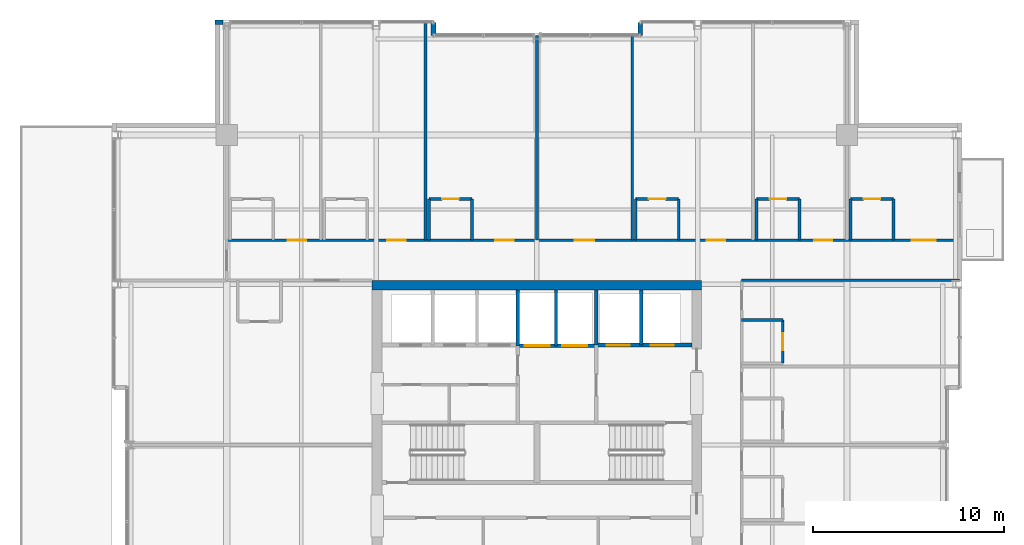
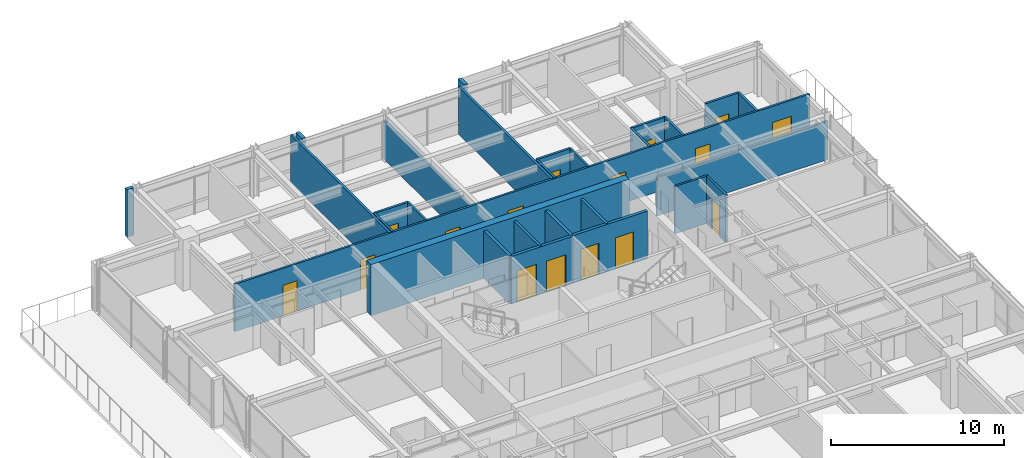
# One storey, part 28 of 32: 29 walls, 16 doors, 16 openings.
"""IFC4 building model written with IfcOpenShell, lengths in metres."""

from ifc_helpers import new_model, si_unit, direction, frame, frame_2d, origin, place, context, subcontext, project, spatial, rectangle, extrude, material, layer, layer_set, type_object, element, fill, save


model = new_model("IFC4")

# Units and contexts
model_context = context("Model", 3, precision=1e-05, world=origin(), true_north=direction((0.0, 1.0)))
body_context = subcontext(model_context, "Body", "Model", "MODEL_VIEW")
ifc_project = project(units=[si_unit("LENGTHUNIT", "METRE"), si_unit("AREAUNIT", "SQUARE_METRE"), si_unit("VOLUMEUNIT", "CUBIC_METRE"), si_unit("PLANEANGLEUNIT", "RADIAN"), si_unit("MASSUNIT", "GRAM", prefix="KILO")], contexts=[model_context])

# Site, building, storey
site_placement = place(None, origin())
site = spatial("IfcSite", under=ifc_project, at=site_placement, CompositionType="ELEMENT")
building_placement = place(site_placement, origin())
building = spatial("IfcBuilding", under=site, at=building_placement, Name="Drelvath Grand Hotel", CompositionType="ELEMENT")
storey_placement = place(building_placement, frame((0.0, 0.0, 205.10009765625)))
storey = spatial("IfcBuildingStorey", under=building, at=storey_placement, Name="L53", CompositionType="ELEMENT", Elevation=205.10009765625)

# Wall, openings, doors
ifc_material_1 = material(Name="Concrete C40/50", Category="concrete")
ifc_layer_1 = layer(ifc_material_1, 0.199951171875)
ifc_layer_set_1 = layer_set([ifc_layer_1], Name="Concrete C40/50")
wall_type_1 = type_object("IfcWallType", Name="Core Hoistway Fire Wall 200", PredefinedType="SOLIDWALL", material=ifc_layer_set_1)
wall_1_placement = place(storey_placement, frame((3.10009765625, 32.219970703125, 0.0), z_axis=(0.0, 0.0, 1.0), x_axis=(1.0, 0.0, 0.0)))
wall_1 = element("IfcWall", 1, at=wall_1_placement, inside=storey, type_object=wall_type_1, Name="L53 FSAE Hoistway Front Wall", PredefinedType="SOLIDWALL", context=body_context, shape_type="SweptSolid", body=[
    extrude(rectangle(XDim=5.0, YDim=0.199951171875, at=frame_2d((2.5, 0.0))), origin(), (0.0, 0.0, 1.0), 3.33984375),
])
opening_1_placement = place(wall_1_placement, frame((0.550048828125, 0.0, 0.0)))
opening_1 = element("IfcOpeningElement", 2, at=opening_1_placement, cuts=wall_1, Name="Opening LD-FSAE-1", PredefinedType="OPENING", context=body_context, shape_type="SweptSolid", body=[
    extrude(rectangle(XDim=1.199951171875, YDim=2.199951171875, at=frame_2d((0.60009765625, 1.10009765625))), frame((0.0, 0.10986328125, 0.0), z_axis=(0.0, -1.0, 0.0), x_axis=(1.0, 0.0, 0.0)), (0.0, 0.0, 1.0), 0.219970703125),
])
opening_2_placement = place(wall_1_placement, frame((2.85009765625, 0.0, 0.0)))
opening_2 = element("IfcOpeningElement", 3, at=opening_2_placement, cuts=wall_1, Name="Opening LD-FSAE-2", PredefinedType="OPENING", context=body_context, shape_type="SweptSolid", body=[
    extrude(rectangle(XDim=1.199951171875, YDim=2.199951171875, at=frame_2d((0.60009765625, 1.10009765625))), frame((0.0, 0.10986328125, 0.0), z_axis=(0.0, -1.0, 0.0), x_axis=(1.0, 0.0, 0.0)), (0.0, 0.0, 1.0), 0.219970703125),
])
ifc_material_2 = material(Name="Stainless Steel S355", Category="steel")
door_type_1 = type_object("IfcDoorType", Name="FSAE Lift Sliding Landing Door 1200x2200", OperationType="NOTDEFINED", PredefinedType="DOOR", material=ifc_material_2)
door_1_placement = place(opening_1_placement, origin())
door_1 = element("IfcDoor", 4, at=door_1_placement, inside=storey, type_object=door_type_1, Name="L53 Lift FSAE-1 Landing Door", OperationType="SLIDING_TO_LEFT", OverallHeight=2.199951171875, OverallWidth=1.199951171875, PredefinedType="DOOR", context=body_context, shape_type="SweptSolid", body=[
    extrude(rectangle(XDim=1.199951171875, YDim=2.199951171875, at=frame_2d((0.60009765625, 1.10009765625))), frame((0.0, 0.02490234375, 0.0), z_axis=(0.0, -1.0, 0.0), x_axis=(1.0, 0.0, 0.0)), (0.0, 0.0, 1.0), 0.050048828125),
])
fill(opening_1, door_1)
door_2_placement = place(opening_2_placement, origin())
door_2 = element("IfcDoor", 5, at=door_2_placement, inside=storey, type_object=door_type_1, Name="L53 Lift FSAE-2 Landing Door", OperationType="SLIDING_TO_LEFT", OverallHeight=2.199951171875, OverallWidth=1.199951171875, PredefinedType="DOOR", context=body_context, shape_type="SweptSolid", body=[
    extrude(rectangle(XDim=1.199951171875, YDim=2.199951171875, at=frame_2d((0.60009765625, 1.10009765625))), frame((0.0, 0.02490234375, 0.0), z_axis=(0.0, -1.0, 0.0), x_axis=(1.0, 0.0, 0.0)), (0.0, 0.0, 1.0), 0.050048828125),
])
fill(opening_2, door_2)

# Wall
wall_2_placement = place(storey_placement, frame((3.10009765625, 32.219970703125, 0.0), z_axis=(0.0, 0.0, 1.0), x_axis=(0.0, 1.0, 0.0)))
element("IfcWall", 6, at=wall_2_placement, inside=storey, type_object=wall_type_1, Name="L53 FSAE Hoistway West Wall", PredefinedType="SOLIDWALL", context=body_context, shape_type="SweptSolid", body=[
    extrude(rectangle(XDim=2.880126953125, YDim=0.199951171875, at=frame_2d((1.43994140625, 0.0))), origin(), (0.0, 0.0, 1.0), 3.33984375),
])

# Wall, openings, doors
wall_3_placement = place(storey_placement, frame((-1.0, 32.179931640625, 0.0), z_axis=(0.0, 0.0, 1.0), x_axis=(1.0, 0.0, 0.0)))
wall_3 = element("IfcWall", 7, at=wall_3_placement, inside=storey, type_object=wall_type_1, Name="L53 Service Lift Hoistway Wall", PredefinedType="SOLIDWALL", context=body_context, shape_type="SweptSolid", body=[
    extrude(rectangle(XDim=4.10009765625, YDim=0.199951171875, at=frame_2d((2.050048828125, 0.0))), origin(), (0.0, 0.0, 1.0), 3.33984375),
])
opening_3_placement = place(wall_3_placement, frame((0.3701171875, 0.0, 0.0)))
opening_3 = element("IfcOpeningElement", 8, at=opening_3_placement, cuts=wall_3, Name="Opening LD-SV-2", PredefinedType="OPENING", context=body_context, shape_type="SweptSolid", body=[
    extrude(rectangle(XDim=1.300048828125, YDim=2.199951171875, at=frame_2d((0.64990234375, 1.10009765625))), frame((0.0, 0.10986328125, 0.0), z_axis=(0.0, -1.0, 0.0), x_axis=(1.0, 0.0, 0.0)), (0.0, 0.0, 1.0), 0.219970703125),
])
opening_4_placement = place(wall_3_placement, frame((2.330078125, 0.0, 0.0)))
opening_4 = element("IfcOpeningElement", 9, at=opening_4_placement, cuts=wall_3, Name="Opening LD-SV-1", PredefinedType="OPENING", context=body_context, shape_type="SweptSolid", body=[
    extrude(rectangle(XDim=1.300048828125, YDim=2.199951171875, at=frame_2d((0.64990234375, 1.10009765625))), frame((0.0, 0.10986328125, 0.0), z_axis=(0.0, -1.0, 0.0), x_axis=(1.0, 0.0, 0.0)), (0.0, 0.0, 1.0), 0.219970703125),
])
door_type_2 = type_object("IfcDoorType", Name="Service Lift Sliding Landing Door 1300x2200", OperationType="NOTDEFINED", PredefinedType="DOOR", material=ifc_material_2)
door_3_placement = place(opening_3_placement, origin())
door_3 = element("IfcDoor", 10, at=door_3_placement, inside=storey, type_object=door_type_2, Name="L53 Lift SV-2 Landing Door", OperationType="SLIDING_TO_LEFT", OverallHeight=2.199951171875, OverallWidth=1.300048828125, PredefinedType="DOOR", context=body_context, shape_type="SweptSolid", body=[
    extrude(rectangle(XDim=1.300048828125, YDim=2.199951171875, at=frame_2d((0.64990234375, 1.10009765625))), frame((0.0, 0.02490234375, 0.0), z_axis=(0.0, -1.0, 0.0), x_axis=(1.0, 0.0, 0.0)), (0.0, 0.0, 1.0), 0.050048828125),
])
fill(opening_3, door_3)
door_4_placement = place(opening_4_placement, origin())
door_4 = element("IfcDoor", 11, at=door_4_placement, inside=storey, type_object=door_type_2, Name="L53 Lift SV-1 Landing Door", OperationType="SLIDING_TO_LEFT", OverallHeight=2.199951171875, OverallWidth=1.300048828125, PredefinedType="DOOR", context=body_context, shape_type="SweptSolid", body=[
    extrude(rectangle(XDim=1.300048828125, YDim=2.199951171875, at=frame_2d((0.64990234375, 1.10009765625))), frame((0.0, 0.02490234375, 0.0), z_axis=(0.0, -1.0, 0.0), x_axis=(1.0, 0.0, 0.0)), (0.0, 0.0, 1.0), 0.050048828125),
])
fill(opening_4, door_4)

# Walls
wall_4_placement = place(storey_placement, frame((-1.0, 32.179931640625, 0.0), z_axis=(0.0, 0.0, 1.0), x_axis=(0.0, 1.0, 0.0)))
element("IfcWall", 12, at=wall_4_placement, inside=storey, type_object=wall_type_1, Name="L53 Service Lift West Wall", PredefinedType="SOLIDWALL", context=body_context, shape_type="SweptSolid", body=[
    extrude(rectangle(XDim=2.920166015625, YDim=0.199951171875, at=frame_2d((1.4599609375, 0.0))), origin(), (0.0, 0.0, 1.0), 3.33984375),
])
ifc_material_3 = material(Name="Gypsum Fireboard Partition")
ifc_layer_2 = layer(ifc_material_3, 0.1650390625)
ifc_layer_set_2 = layer_set([ifc_layer_2], Name="Gypsum Fireboard Partition")
wall_type_2 = type_object("IfcWallType", Name="Core Shaft Partition 165", PredefinedType="PARTITIONING", material=ifc_layer_set_2)
wall_5_placement = place(storey_placement, frame((5.449951171875, 32.219970703125, 0.0), z_axis=(0.0, 0.0, 1.0), x_axis=(0.0, 1.0, 0.0)))
element("IfcWall", 13, at=wall_5_placement, inside=storey, type_object=wall_type_2, Name="L53 FSAE Hoistway Divider", PredefinedType="PARTITIONING", context=body_context, shape_type="SweptSolid", body=[
    extrude(rectangle(XDim=2.880126953125, YDim=0.1650390625, at=frame_2d((1.43994140625, 0.0))), origin(), (0.0, 0.0, 1.0), 3.33984375),
])
wall_6_placement = place(storey_placement, frame((1.0, 32.179931640625, 0.0), z_axis=(0.0, 0.0, 1.0), x_axis=(0.0, 1.0, 0.0)))
element("IfcWall", 14, at=wall_6_placement, inside=storey, type_object=wall_type_2, Name="L53 Service Lift Divider", PredefinedType="PARTITIONING", context=body_context, shape_type="SweptSolid", body=[
    extrude(rectangle(XDim=2.920166015625, YDim=0.1650390625, at=frame_2d((1.4599609375, 0.0))), origin(), (0.0, 0.0, 1.0), 3.33984375),
])

# Wall, openings, doors
ifc_layer_3 = layer(ifc_material_3, 0.135009765625)
ifc_layer_set_3 = layer_set([ifc_layer_3], Name="Gypsum Fireboard Partition")
wall_type_3 = type_object("IfcWallType", Name="Corridor Fire Barrier Wall 135", PredefinedType="PARTITIONING", material=ifc_layer_set_3)
wall_7_placement = place(storey_placement, frame((-16.199951171875, 37.699951171875, 0.0), z_axis=(0.0, 0.0, 1.0), x_axis=(1.0, 0.0, 0.0)))
wall_7 = element("IfcWall", 15, at=wall_7_placement, inside=storey, type_object=wall_type_3, Name="L53 North Cross-Gallery Wall", PredefinedType="PARTITIONING", context=body_context, shape_type="SweptSolid", body=[
    extrude(rectangle(XDim=38.280029296875, YDim=0.135009765625, at=frame_2d((19.14013671875, 0.0))), origin(), (0.0, 0.0, 1.0), 3.33984375),
])
opening_5_placement = place(wall_7_placement, frame((35.784912109375, 0.0, 0.0)))
opening_5 = element("IfcOpeningElement", 16, at=opening_5_placement, cuts=wall_7, Name="Opening D-T4G1-024", PredefinedType="OPENING", context=body_context, shape_type="SweptSolid", body=[
    extrude(rectangle(XDim=1.260009765625, YDim=2.199951171875, at=frame_2d((0.6298828125, 1.10009765625))), frame((0.0, 0.077392578125, 0.0), z_axis=(0.0, -1.0, 0.0), x_axis=(1.0, 0.0, 0.0)), (0.0, 0.0, 1.0), 0.155029296875),
])
opening_6_placement = place(wall_7_placement, frame((3.189453125, 0.0, 0.0)))
opening_6 = element("IfcOpeningElement", 17, at=opening_6_placement, cuts=wall_7, Name="Opening D-T4G1-037", PredefinedType="OPENING", context=body_context, shape_type="SweptSolid", body=[
    extrude(rectangle(XDim=0.9599609375, YDim=2.14990234375, at=frame_2d((0.47998046875, 1.074951171875))), frame((0.0, 0.077392578125, 0.0), z_axis=(0.0, -1.0, 0.0), x_axis=(1.0, 0.0, 0.0)), (0.0, 0.0, 1.0), 0.155029296875),
])
opening_7_placement = place(wall_7_placement, frame((8.37939453125, 0.0, 0.0)))
opening_7 = element("IfcOpeningElement", 18, at=opening_7_placement, cuts=wall_7, Name="Opening D-T4G1-039", PredefinedType="OPENING", context=body_context, shape_type="SweptSolid", body=[
    extrude(rectangle(XDim=0.9599609375, YDim=2.14990234375, at=frame_2d((0.47998046875, 1.074951171875))), frame((0.0, 0.077392578125, 0.0), z_axis=(0.0, -1.0, 0.0), x_axis=(1.0, 0.0, 0.0)), (0.0, 0.0, 1.0), 0.155029296875),
])
opening_8_placement = place(wall_7_placement, frame((14.02490234375, 0.0, 0.0)))
opening_8 = element("IfcOpeningElement", 19, at=opening_8_placement, cuts=wall_7, Name="Opening D-T4G1-041", PredefinedType="OPENING", context=body_context, shape_type="SweptSolid", body=[
    extrude(rectangle(XDim=0.9599609375, YDim=2.14990234375, at=frame_2d((0.47998046875, 1.074951171875))), frame((0.0, 0.077392578125, 0.0), z_axis=(0.0, -1.0, 0.0), x_axis=(1.0, 0.0, 0.0)), (0.0, 0.0, 1.0), 0.155029296875),
])
opening_9_placement = place(wall_7_placement, frame((18.179931640625, 0.0, 0.0)))
opening_9 = element("IfcOpeningElement", 20, at=opening_9_placement, cuts=wall_7, Name="Opening D-T4G1-042", PredefinedType="OPENING", context=body_context, shape_type="SweptSolid", body=[
    extrude(rectangle(XDim=1.02001953125, YDim=2.14990234375, at=frame_2d((0.510009765625, 1.074951171875))), frame((0.0, 0.077392578125, 0.0), z_axis=(0.0, -1.0, 0.0), x_axis=(1.0, 0.0, 0.0)), (0.0, 0.0, 1.0), 0.155029296875),
])
opening_10_placement = place(wall_7_placement, frame((25.070556640625, 0.0, 0.0)))
opening_10 = element("IfcOpeningElement", 21, at=opening_10_placement, cuts=wall_7, Name="Opening D-T4G1-044", PredefinedType="OPENING", context=body_context, shape_type="SweptSolid", body=[
    extrude(rectangle(XDim=0.9599609375, YDim=2.14990234375, at=frame_2d((0.47998046875, 1.074951171875))), frame((0.0, 0.077392578125, 0.0), z_axis=(0.0, -1.0, 0.0), x_axis=(1.0, 0.0, 0.0)), (0.0, 0.0, 1.0), 0.155029296875),
])
opening_11_placement = place(wall_7_placement, frame((30.680419921875, 0.0, 0.0)))
opening_11 = element("IfcOpeningElement", 22, at=opening_11_placement, cuts=wall_7, Name="Opening D-T4G1-046", PredefinedType="OPENING", context=body_context, shape_type="SweptSolid", body=[
    extrude(rectangle(XDim=0.9599609375, YDim=2.14990234375, at=frame_2d((0.47998046875, 1.074951171875))), frame((0.0, 0.077392578125, 0.0), z_axis=(0.0, -1.0, 0.0), x_axis=(1.0, 0.0, 0.0)), (0.0, 0.0, 1.0), 0.155029296875),
])
ifc_material_4 = material(Name="Hardwood Walnut Timber", Category="wood")
door_type_3 = type_object("IfcDoorType", Name="Amenity Meeting Fire Door 1020x2150", OperationType="NOTDEFINED", PredefinedType="DOOR", material=ifc_material_4)
door_5_placement = place(opening_9_placement, origin())
door_5 = element("IfcDoor", 23, at=door_5_placement, inside=storey, type_object=door_type_3, Name="L53 Embassy Briefing Room Entry Door", OperationType="SINGLE_SWING_LEFT", OverallHeight=2.14990234375, OverallWidth=1.02001953125, PredefinedType="DOOR", context=body_context, shape_type="SweptSolid", body=[
    extrude(rectangle(XDim=1.02001953125, YDim=2.14990234375, at=frame_2d((0.510009765625, 1.074951171875))), frame((0.0, 0.02490234375, 0.0), z_axis=(0.0, -1.0, 0.0), x_axis=(1.0, 0.0, 0.0)), (0.0, 0.0, 1.0), 0.050048828125),
])
fill(opening_9, door_5)
door_type_4 = type_object("IfcDoorType", Name="Guestroom Entrance Fire Door 960x2150", OperationType="NOTDEFINED", PredefinedType="DOOR", material=ifc_material_4)
door_6_placement = place(opening_6_placement, origin())
door_6 = element("IfcDoor", 24, at=door_6_placement, inside=storey, type_object=door_type_4, Name="L53 Deluxe Guest Room Entry Door", OperationType="SINGLE_SWING_RIGHT", OverallHeight=2.14990234375, OverallWidth=0.9599609375, PredefinedType="DOOR", context=body_context, shape_type="SweptSolid", body=[
    extrude(rectangle(XDim=0.9599609375, YDim=2.14990234375, at=frame_2d((0.47998046875, 1.074951171875))), frame((0.0, 0.02490234375, 0.0), z_axis=(0.0, -1.0, 0.0), x_axis=(1.0, 0.0, 0.0)), (0.0, 0.0, 1.0), 0.050048828125),
])
fill(opening_6, door_6)
door_7_placement = place(opening_7_placement, origin())
door_7 = element("IfcDoor", 25, at=door_7_placement, inside=storey, type_object=door_type_4, Name="L53 Deluxe Guest Room Entry Door", OperationType="SINGLE_SWING_RIGHT", OverallHeight=2.14990234375, OverallWidth=0.9599609375, PredefinedType="DOOR", context=body_context, shape_type="SweptSolid", body=[
    extrude(rectangle(XDim=0.9599609375, YDim=2.14990234375, at=frame_2d((0.47998046875, 1.074951171875))), frame((0.0, 0.02490234375, 0.0), z_axis=(0.0, -1.0, 0.0), x_axis=(1.0, 0.0, 0.0)), (0.0, 0.0, 1.0), 0.050048828125),
])
fill(opening_7, door_7)
door_8_placement = place(opening_8_placement, origin())
door_8 = element("IfcDoor", 26, at=door_8_placement, inside=storey, type_object=door_type_4, Name="L53 Deluxe Guest Room Entry Door", OperationType="SINGLE_SWING_RIGHT", OverallHeight=2.14990234375, OverallWidth=0.9599609375, PredefinedType="DOOR", context=body_context, shape_type="SweptSolid", body=[
    extrude(rectangle(XDim=0.9599609375, YDim=2.14990234375, at=frame_2d((0.47998046875, 1.074951171875))), frame((0.0, 0.02490234375, 0.0), z_axis=(0.0, -1.0, 0.0), x_axis=(1.0, 0.0, 0.0)), (0.0, 0.0, 1.0), 0.050048828125),
])
fill(opening_8, door_8)
door_9_placement = place(opening_10_placement, origin())
door_9 = element("IfcDoor", 27, at=door_9_placement, inside=storey, type_object=door_type_4, Name="L53 Deluxe Guest Room Entry Door", OperationType="SINGLE_SWING_LEFT", OverallHeight=2.14990234375, OverallWidth=0.9599609375, PredefinedType="DOOR", context=body_context, shape_type="SweptSolid", body=[
    extrude(rectangle(XDim=0.9599609375, YDim=2.14990234375, at=frame_2d((0.47998046875, 1.074951171875))), frame((0.0, 0.02490234375, 0.0), z_axis=(0.0, -1.0, 0.0), x_axis=(1.0, 0.0, 0.0)), (0.0, 0.0, 1.0), 0.050048828125),
])
fill(opening_10, door_9)
door_10_placement = place(opening_11_placement, origin())
door_10 = element("IfcDoor", 28, at=door_10_placement, inside=storey, type_object=door_type_4, Name="L53 Deluxe Guest Room Entry Door", OperationType="SINGLE_SWING_LEFT", OverallHeight=2.14990234375, OverallWidth=0.9599609375, PredefinedType="DOOR", context=body_context, shape_type="SweptSolid", body=[
    extrude(rectangle(XDim=0.9599609375, YDim=2.14990234375, at=frame_2d((0.47998046875, 1.074951171875))), frame((0.0, 0.02490234375, 0.0), z_axis=(0.0, -1.0, 0.0), x_axis=(1.0, 0.0, 0.0)), (0.0, 0.0, 1.0), 0.050048828125),
])
fill(opening_11, door_10)
door_type_5 = type_object("IfcDoorType", Name="Suite Entrance Fire Door 1260x2200", OperationType="NOTDEFINED", PredefinedType="DOOR", material=ifc_material_4)
door_11_placement = place(opening_5_placement, origin())
door_11 = element("IfcDoor", 29, at=door_11_placement, inside=storey, type_object=door_type_5, Name="L53 Diplomatic Suite Entry Door", OperationType="SINGLE_SWING_LEFT", OverallHeight=2.199951171875, OverallWidth=1.260009765625, PredefinedType="DOOR", context=body_context, shape_type="SweptSolid", body=[
    extrude(rectangle(XDim=1.260009765625, YDim=2.199951171875, at=frame_2d((0.6298828125, 1.10009765625))), frame((0.0, 0.02490234375, 0.0), z_axis=(0.0, -1.0, 0.0), x_axis=(1.0, 0.0, 0.0)), (0.0, 0.0, 1.0), 0.050048828125),
])
fill(opening_5, door_11)

# Walls
wall_8_placement = place(storey_placement, frame((10.699951171875, 35.60009765625, 0.0), z_axis=(0.0, 0.0, 1.0), x_axis=(1.0, 0.0, 0.0)))
element("IfcWall", 30, at=wall_8_placement, inside=storey, type_object=wall_type_3, Name="L53 North Gallery Inner East Wall", PredefinedType="PARTITIONING", context=body_context, shape_type="SweptSolid", body=[
    extrude(rectangle(XDim=11.380126953125, YDim=0.135009765625, at=frame_2d((5.68994140625, 0.0))), origin(), (0.0, 0.0, 1.0), 2.71728515625),
])
ifc_material_5 = material(Name="Moisture-Resistant Gypsum Board")
ifc_layer_4 = layer(ifc_material_5, 0.139892578125)
ifc_layer_set_4 = layer_set([ifc_layer_4], Name="Moisture-Resistant Gypsum Board")
wall_type_4 = type_object("IfcWallType", Name="En-Suite Plumbing Wall 140", PredefinedType="PLUMBINGWALL", material=ifc_layer_set_4)
wall_9_placement = place(storey_placement, frame((16.3798828125, 37.699951171875, 0.0), z_axis=(0.0, 0.0, 1.0), x_axis=(0.0, 1.0, 0.0)))
element("IfcWall", 31, at=wall_9_placement, inside=storey, type_object=wall_type_4, Name="L53 En-Suite Left Wall", PredefinedType="PLUMBINGWALL", context=body_context, shape_type="SweptSolid", body=[
    extrude(rectangle(XDim=2.150146484375, YDim=0.139892578125, at=frame_2d((1.0751953125, 0.0))), origin(), (0.0, 0.0, 1.0), 2.713623046875),
])
wall_10_placement = place(storey_placement, frame((18.6298828125, 37.699951171875, 0.0), z_axis=(0.0, 0.0, 1.0), x_axis=(0.0, 1.0, 0.0)))
element("IfcWall", 32, at=wall_10_placement, inside=storey, type_object=wall_type_4, Name="L53 En-Suite Right Wall", PredefinedType="PLUMBINGWALL", context=body_context, shape_type="SweptSolid", body=[
    extrude(rectangle(XDim=2.150146484375, YDim=0.139892578125, at=frame_2d((1.0751953125, 0.0))), origin(), (0.0, 0.0, 1.0), 3.33984375),
])

# Wall, opening, door
wall_11_placement = place(storey_placement, frame((16.3798828125, 39.85009765625, 0.0), z_axis=(0.0, 0.0, 1.0), x_axis=(1.0, 0.0, 0.0)))
wall_11 = element("IfcWall", 33, at=wall_11_placement, inside=storey, type_object=wall_type_4, Name="L53 En-Suite Front Wall", PredefinedType="PLUMBINGWALL", context=body_context, shape_type="SweptSolid", body=[
    extrude(rectangle(XDim=2.25, YDim=0.139892578125, at=frame_2d((1.125, 0.0))), origin(), (0.0, 0.0, 1.0), 3.33984375),
])
opening_12_placement = place(wall_11_placement, frame((0.68505859375, 0.0, 0.0)))
opening_12 = element("IfcOpeningElement", 34, at=opening_12_placement, cuts=wall_11, Name="Opening D-T4G1-023", PredefinedType="OPENING", context=body_context, shape_type="SweptSolid", body=[
    extrude(rectangle(XDim=0.8798828125, YDim=2.10009765625, at=frame_2d((0.43994140625, 1.050048828125))), frame((0.0, 0.079833984375, 0.0), z_axis=(0.0, -1.0, 0.0), x_axis=(1.0, 0.0, 0.0)), (0.0, 0.0, 1.0), 0.159912109375),
])
door_type_6 = type_object("IfcDoorType", Name="En-Suite Bathroom Door 880x2100", OperationType="NOTDEFINED", PredefinedType="DOOR", material=ifc_material_4)
door_12_placement = place(opening_12_placement, origin())
door_12 = element("IfcDoor", 35, at=door_12_placement, inside=storey, type_object=door_type_6, Name="L53 En-Suite Bathroom Door", OperationType="SINGLE_SWING_RIGHT", OverallHeight=2.10009765625, OverallWidth=0.8798828125, PredefinedType="DOOR", context=body_context, shape_type="SweptSolid", body=[
    extrude(rectangle(XDim=0.8798828125, YDim=2.10009765625, at=frame_2d((0.43994140625, 1.050048828125))), frame((0.0, 0.02490234375, 0.0), z_axis=(0.0, -1.0, 0.0), x_axis=(1.0, 0.0, 0.0)), (0.0, 0.0, 1.0), 0.050048828125),
])
fill(opening_12, door_12)

# Walls
for number, where, z_axis, x_axis, name in (
    (36, (-5.639892578125, 37.699951171875, 0.0), (0.0, 0.0, 1.0), (0.0, 1.0, 0.0), "L53 En-Suite Left Wall"),
    (37, (-3.389892578125, 37.699951171875, 0.0), (0.0, 0.0, 1.0), (0.0, 1.0, 0.0), "L53 En-Suite Right Wall"),
):
    element("IfcWall", number, at=place(storey_placement, frame(where, z_axis=z_axis, x_axis=x_axis)), inside=storey, type_object=wall_type_4, Name=name, PredefinedType="PLUMBINGWALL", context=body_context, shape_type="SweptSolid", body=[
        extrude(rectangle(XDim=2.150146484375, YDim=0.139892578125, at=frame_2d((1.0751953125, 0.0))), origin(), (0.0, 0.0, 1.0), 3.33984375),
    ])

# Wall, opening, door
wall_12_placement = place(storey_placement, frame((-5.639892578125, 39.85009765625, 0.0), z_axis=(0.0, 0.0, 1.0), x_axis=(1.0, 0.0, 0.0)))
wall_12 = element("IfcWall", 38, at=wall_12_placement, inside=storey, type_object=wall_type_4, Name="L53 En-Suite Front Wall", PredefinedType="PLUMBINGWALL", context=body_context, shape_type="SweptSolid", body=[
    extrude(rectangle(XDim=2.25, YDim=0.139892578125, at=frame_2d((1.125, 0.0))), origin(), (0.0, 0.0, 1.0), 3.33984375),
])
opening_13_placement = place(wall_12_placement, frame((0.68505859375, 0.0, 0.0)))
opening_13 = element("IfcOpeningElement", 39, at=opening_13_placement, cuts=wall_12, Name="Opening D-T4G1-040", PredefinedType="OPENING", context=body_context, shape_type="SweptSolid", body=[
    extrude(rectangle(XDim=0.8798828125, YDim=2.10009765625, at=frame_2d((0.43994140625, 1.050048828125))), frame((0.0, 0.079833984375, 0.0), z_axis=(0.0, -1.0, 0.0), x_axis=(1.0, 0.0, 0.0)), (0.0, 0.0, 1.0), 0.159912109375),
])
door_13_placement = place(opening_13_placement, origin())
door_13 = element("IfcDoor", 40, at=door_13_placement, inside=storey, type_object=door_type_6, Name="L53 En-Suite Bathroom Door", OperationType="SINGLE_SWING_LEFT", OverallHeight=2.10009765625, OverallWidth=0.8798828125, PredefinedType="DOOR", context=body_context, shape_type="SweptSolid", body=[
    extrude(rectangle(XDim=0.8798828125, YDim=2.10009765625, at=frame_2d((0.43994140625, 1.050048828125))), frame((0.0, 0.02490234375, 0.0), z_axis=(0.0, -1.0, 0.0), x_axis=(1.0, 0.0, 0.0)), (0.0, 0.0, 1.0), 0.050048828125),
])
fill(opening_13, door_13)

# Walls
for number, where, z_axis, x_axis, name in (
    (41, (5.159912109375, 37.699951171875, 0.0), (0.0, 0.0, 1.0), (0.0, 1.0, 0.0), "L53 En-Suite Left Wall"),
    (42, (7.409912109375, 37.699951171875, 0.0), (0.0, 0.0, 1.0), (0.0, 1.0, 0.0), "L53 En-Suite Right Wall"),
):
    element("IfcWall", number, at=place(storey_placement, frame(where, z_axis=z_axis, x_axis=x_axis)), inside=storey, type_object=wall_type_4, Name=name, PredefinedType="PLUMBINGWALL", context=body_context, shape_type="SweptSolid", body=[
        extrude(rectangle(XDim=2.150146484375, YDim=0.139892578125, at=frame_2d((1.0751953125, 0.0))), origin(), (0.0, 0.0, 1.0), 3.33984375),
    ])

# Wall, opening, door
wall_13_placement = place(storey_placement, frame((5.159912109375, 39.85009765625, 0.0), z_axis=(0.0, 0.0, 1.0), x_axis=(1.0, 0.0, 0.0)))
wall_13 = element("IfcWall", 43, at=wall_13_placement, inside=storey, type_object=wall_type_4, Name="L53 En-Suite Front Wall", PredefinedType="PLUMBINGWALL", context=body_context, shape_type="SweptSolid", body=[
    extrude(rectangle(XDim=2.25, YDim=0.139892578125, at=frame_2d((1.125, 0.0))), origin(), (0.0, 0.0, 1.0), 3.33984375),
])
opening_14_placement = place(wall_13_placement, frame((0.68505859375, 0.0, 0.0)))
opening_14 = element("IfcOpeningElement", 44, at=opening_14_placement, cuts=wall_13, Name="Opening D-T4G1-043", PredefinedType="OPENING", context=body_context, shape_type="SweptSolid", body=[
    extrude(rectangle(XDim=0.8798828125, YDim=2.10009765625, at=frame_2d((0.43994140625, 1.050048828125))), frame((0.0, 0.079833984375, 0.0), z_axis=(0.0, -1.0, 0.0), x_axis=(1.0, 0.0, 0.0)), (0.0, 0.0, 1.0), 0.159912109375),
])
door_14_placement = place(opening_14_placement, origin())
door_14 = element("IfcDoor", 45, at=door_14_placement, inside=storey, type_object=door_type_6, Name="L53 En-Suite Bathroom Door", OperationType="SINGLE_SWING_RIGHT", OverallHeight=2.10009765625, OverallWidth=0.8798828125, PredefinedType="DOOR", context=body_context, shape_type="SweptSolid", body=[
    extrude(rectangle(XDim=0.8798828125, YDim=2.10009765625, at=frame_2d((0.43994140625, 1.050048828125))), frame((0.0, 0.02490234375, 0.0), z_axis=(0.0, -1.0, 0.0), x_axis=(1.0, 0.0, 0.0)), (0.0, 0.0, 1.0), 0.050048828125),
])
fill(opening_14, door_14)

# Walls
for number, where, z_axis, x_axis, name in (
    (46, (11.470947265625, 37.699951171875, 0.0), (0.0, 0.0, 1.0), (0.0, 1.0, 0.0), "L53 En-Suite Left Wall"),
    (47, (13.720947265625, 37.699951171875, 0.0), (0.0, 0.0, 1.0), (0.0, 1.0, 0.0), "L53 En-Suite Right Wall"),
):
    element("IfcWall", number, at=place(storey_placement, frame(where, z_axis=z_axis, x_axis=x_axis)), inside=storey, type_object=wall_type_4, Name=name, PredefinedType="PLUMBINGWALL", context=body_context, shape_type="SweptSolid", body=[
        extrude(rectangle(XDim=2.150146484375, YDim=0.139892578125, at=frame_2d((1.0751953125, 0.0))), origin(), (0.0, 0.0, 1.0), 3.33984375),
    ])

# Wall, opening, door
wall_14_placement = place(storey_placement, frame((11.470947265625, 39.85009765625, 0.0), z_axis=(0.0, 0.0, 1.0), x_axis=(1.0, 0.0, 0.0)))
wall_14 = element("IfcWall", 48, at=wall_14_placement, inside=storey, type_object=wall_type_4, Name="L53 En-Suite Front Wall", PredefinedType="PLUMBINGWALL", context=body_context, shape_type="SweptSolid", body=[
    extrude(rectangle(XDim=2.25, YDim=0.139892578125, at=frame_2d((1.125, 0.0))), origin(), (0.0, 0.0, 1.0), 3.33984375),
])
opening_15_placement = place(wall_14_placement, frame((0.68505859375, 0.0, 0.0)))
opening_15 = element("IfcOpeningElement", 49, at=opening_15_placement, cuts=wall_14, Name="Opening D-T4G1-045", PredefinedType="OPENING", context=body_context, shape_type="SweptSolid", body=[
    extrude(rectangle(XDim=0.8798828125, YDim=2.10009765625, at=frame_2d((0.43994140625, 1.050048828125))), frame((0.0, 0.079833984375, 0.0), z_axis=(0.0, -1.0, 0.0), x_axis=(1.0, 0.0, 0.0)), (0.0, 0.0, 1.0), 0.159912109375),
])
door_15_placement = place(opening_15_placement, origin())
door_15 = element("IfcDoor", 50, at=door_15_placement, inside=storey, type_object=door_type_6, Name="L53 En-Suite Bathroom Door", OperationType="SINGLE_SWING_RIGHT", OverallHeight=2.10009765625, OverallWidth=0.8798828125, PredefinedType="DOOR", context=body_context, shape_type="SweptSolid", body=[
    extrude(rectangle(XDim=0.8798828125, YDim=2.10009765625, at=frame_2d((0.43994140625, 1.050048828125))), frame((0.0, 0.02490234375, 0.0), z_axis=(0.0, -1.0, 0.0), x_axis=(1.0, 0.0, 0.0)), (0.0, 0.0, 1.0), 0.050048828125),
])
fill(opening_15, door_15)

# Wall
wall_15_placement = place(storey_placement, frame((10.699951171875, 33.525146484375, 0.0), z_axis=(0.0, 0.0, 1.0), x_axis=(1.0, 0.0, 0.0)))
element("IfcWall", 51, at=wall_15_placement, inside=storey, type_object=wall_type_4, Name="L53 En-Suite Right Wall", PredefinedType="PLUMBINGWALL", context=body_context, shape_type="SweptSolid", body=[
    extrude(rectangle(XDim=2.150146484375, YDim=0.139892578125, at=frame_2d((1.0751953125, 0.0))), origin(), (0.0, 0.0, 1.0), 3.33984375),
])

# Wall, opening, door
wall_16_placement = place(storey_placement, frame((12.85009765625, 31.275146484375, 0.0), z_axis=(0.0, 0.0, 1.0), x_axis=(0.0, 1.0, 0.0)))
wall_16 = element("IfcWall", 52, at=wall_16_placement, inside=storey, type_object=wall_type_4, Name="L53 En-Suite Front Wall", PredefinedType="PLUMBINGWALL", context=body_context, shape_type="SweptSolid", body=[
    extrude(rectangle(XDim=2.25, YDim=0.139892578125, at=frame_2d((1.125, 0.0))), origin(), (0.0, 0.0, 1.0), 3.33984375),
])
opening_16_placement = place(wall_16_placement, frame((0.68505859375, 0.0, 0.0)))
opening_16 = element("IfcOpeningElement", 53, at=opening_16_placement, cuts=wall_16, Name="Opening D-T4G1-053", PredefinedType="OPENING", context=body_context, shape_type="SweptSolid", body=[
    extrude(rectangle(XDim=0.8798828125, YDim=2.10009765625, at=frame_2d((0.43994140625, 1.050048828125))), frame((0.0, 0.079833984375, 0.0), z_axis=(0.0, -1.0, 0.0), x_axis=(1.0, 0.0, 0.0)), (0.0, 0.0, 1.0), 0.159912109375),
])
door_16_placement = place(opening_16_placement, origin())
door_16 = element("IfcDoor", 54, at=door_16_placement, inside=storey, type_object=door_type_6, Name="L53 En-Suite Bathroom Door", OperationType="SINGLE_SWING_RIGHT", OverallHeight=2.10009765625, OverallWidth=0.8798828125, PredefinedType="DOOR", context=body_context, shape_type="SweptSolid", body=[
    extrude(rectangle(XDim=0.8798828125, YDim=2.10009765625, at=frame_2d((0.43994140625, 1.050048828125))), frame((0.0, 0.02490234375, 0.0), z_axis=(0.0, -1.0, 0.0), x_axis=(1.0, 0.0, 0.0)), (0.0, 0.0, 1.0), 0.050048828125),
])
fill(opening_16, door_16)

# Walls
ifc_material_6 = material(Name="Gypsum Acoustic Partition")
ifc_layer_5 = layer(ifc_material_6, 0.14990234375)
ifc_layer_set_5 = layer_set([ifc_layer_5], Name="Gypsum Acoustic Partition")
wall_type_5 = type_object("IfcWallType", Name="Guestroom Demising Wall 150", PredefinedType="PARTITIONING", material=ifc_layer_set_5)
wall_17_placement = place(storey_placement, frame((-5.820068359375, 37.699951171875, 0.0), z_axis=(0.0, 0.0, 1.0), x_axis=(0.0, 1.0, 0.0)))
element("IfcWall", 55, at=wall_17_placement, inside=storey, type_object=wall_type_5, Name="L53 North Demising 2", PredefinedType="PARTITIONING", context=body_context, shape_type="SweptSolid", body=[
    extrude(rectangle(XDim=11.380126953125, YDim=0.14990234375, at=frame_2d((5.68994140625, 0.0))), origin(), (0.0, 0.0, 1.0), 3.33984375),
])
wall_18_placement = place(storey_placement, frame((0.0, 37.699951171875, 0.0), z_axis=(0.0, 0.0, 1.0), x_axis=(0.0, 1.0, 0.0)))
element("IfcWall", 56, at=wall_18_placement, inside=storey, type_object=wall_type_5, Name="L53 North Demising 3", PredefinedType="PARTITIONING", context=body_context, shape_type="SweptSolid", body=[
    extrude(rectangle(XDim=10.699951171875, YDim=0.14990234375, at=frame_2d((5.35009765625, 0.0))), origin(), (0.0, 0.0, 1.0), 2.71728515625),
])
wall_19_placement = place(storey_placement, frame((4.97998046875, 37.699951171875, 0.0), z_axis=(0.0, 0.0, 1.0), x_axis=(0.0, 1.0, 0.0)))
element("IfcWall", 57, at=wall_19_placement, inside=storey, type_object=wall_type_5, Name="L53 North Demising 4", PredefinedType="PARTITIONING", context=body_context, shape_type="SweptSolid", body=[
    extrude(rectangle(XDim=10.699951171875, YDim=0.14990234375, at=frame_2d((5.35009765625, 0.0))), origin(), (0.0, 0.0, 1.0), 3.33984375),
])
ifc_material_7 = material(Name="Pale-Metal Insulated Aluminium Spandrel Assembly", Category="aluminium")
ifc_layer_6 = layer(ifc_material_7, 0.239990234375)
ifc_layer_set_6 = layer_set([ifc_layer_6], Name="Pale-Metal Insulated Aluminium Spandrel Assembly")
wall_type_6 = type_object("IfcWallType", Name="Tower Insulated Metal Spandrel Closure Wall 240", PredefinedType="STANDARD", material=ifc_layer_set_6)
wall_20_placement = place(storey_placement, frame((-16.820068359375, 49.080078125, 0.0), z_axis=(0.0, 0.0, 1.0), x_axis=(1.0, 0.0, 0.0)))
element("IfcWall", 58, at=wall_20_placement, inside=storey, type_object=wall_type_6, Name="L53 Corner Pier Spandrel Wall NW1", PredefinedType="STANDARD", context=body_context, shape_type="SweptSolid", body=[
    extrude(rectangle(XDim=0.434814453125, YDim=0.239990234375, at=frame_2d((0.21728515625, 0.0))), origin(), (0.0, 0.0, 1.0), 3.33984375),
])
for number, where, z_axis, x_axis, name in (
    (59, (-5.39990234375, 49.080078125, 0.0), (0.0, 0.0, 1.0), (0.0, -1.0, 0.0), "L53 Notched Corner Return Spandrel Wall RN1"),
    (60, (5.39990234375, 48.39990234375, 0.0), (0.0, 0.0, 1.0), (0.0, 1.0, 0.0), "L53 Notched Corner Return Spandrel Wall RN2"),
):
    element("IfcWall", number, at=place(storey_placement, frame(where, z_axis=z_axis, x_axis=x_axis)), inside=storey, type_object=wall_type_6, Name=name, PredefinedType="STANDARD", context=body_context, shape_type="SweptSolid", body=[
        extrude(rectangle(XDim=0.68017578125, YDim=0.239990234375, at=frame_2d((0.340087890625, 0.0))), origin(), (0.0, 0.0, 1.0), 3.33984375),
    ])
ifc_material_8 = material(Name="Concrete f'c 55 MPa", Category="concrete")
ifc_layer_7 = layer(ifc_material_8, 0.5)
ifc_layer_set_7 = layer_set([ifc_layer_7], Name="Concrete f'c 55 MPa")
wall_type_7 = type_object("IfcWallType", Name="Upper Core RC Shear Wall 500", PredefinedType="SHEAR", material=ifc_layer_set_7)
wall_21_placement = place(storey_placement, frame((-8.60009765625, 35.35009765625, 0.0), z_axis=(0.0, 0.0, 1.0), x_axis=(1.0, 0.0, 0.0)))
element("IfcWall", 61, at=wall_21_placement, inside=storey, type_object=wall_type_7, Name="L53 Central Core Shear Wall N", PredefinedType="SHEAR", context=body_context, shape_type="SweptSolid", body=[
    extrude(rectangle(XDim=17.2001953125, YDim=0.5, at=frame_2d((8.60009765625, 0.0))), origin(), (0.0, 0.0, 1.0), 3.599853515625),
])

save(model, "model.ifc")
